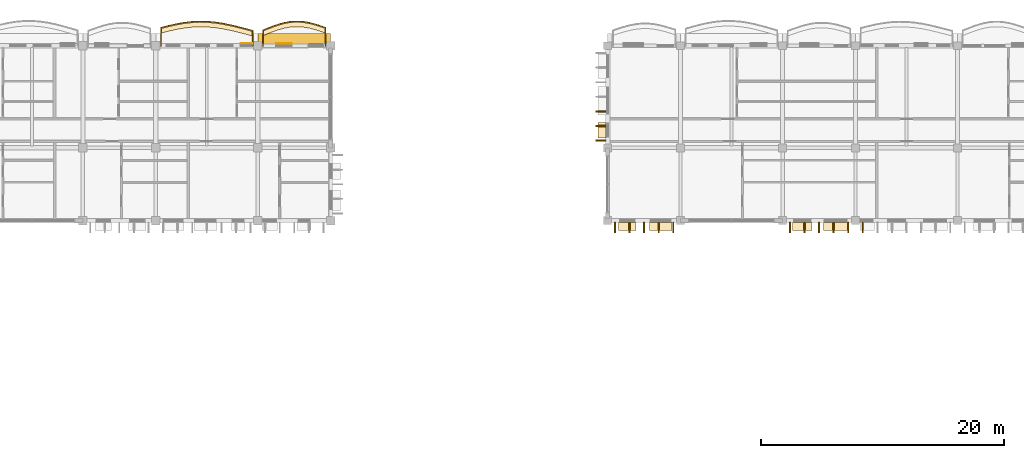
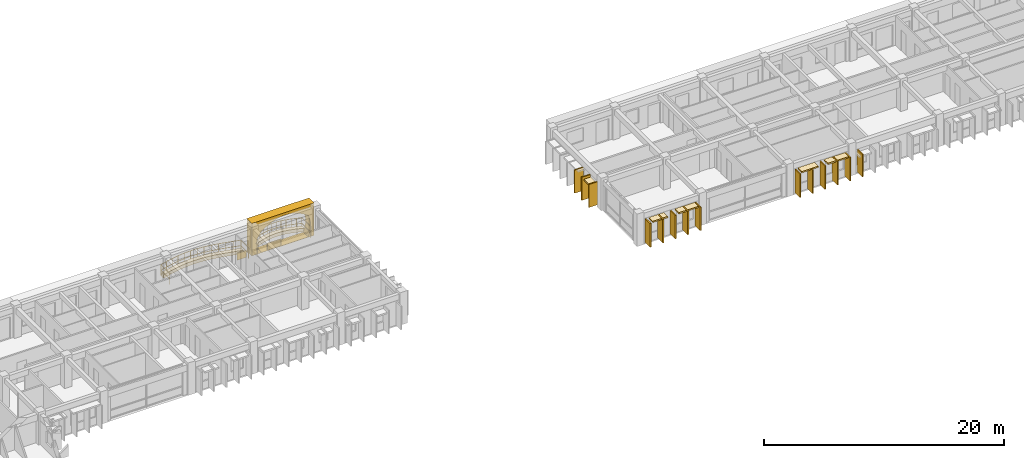
# One storey, part 60 of 76: 24 coverings, 2 railings.
"""IFC4 building model written with IfcOpenShell, lengths in metres."""

import ifcopenshell
import ifcopenshell.guid

model = None  # the IFC model being written
_history = None  # IfcOwnerHistory: only IFC2X3 demands one
_inside = {}  # id of a spatial element -> (the spatial element, [elements in it])
_under = {}  # id of a project, library or spatial element -> (it, [spatial elements below it])
_declared = {}  # id of a project -> (the project, [libraries it declares])
_typed = {}  # id of a type object -> (the type object, [elements of that type])
_made_of = {}  # id of a material, layer set ... -> (it, [elements and type objects made of it])


def new_model(schema):
    """Start an empty IFC model of exactly this schema.

    Asked for "IFC4X3", IfcOpenShell would pick the latest addendum, in which some entities
    have other attributes; the version numbers below select the first issue.
    IFC2X3 requires an IfcOwnerHistory on every rooted entity: one is made here for all.
    """
    global model, _history
    if schema == "IFC4X3":
        model = ifcopenshell.file(schema_version=(4, 3, 0, 0))
    else:
        model = ifcopenshell.file(schema=schema)
    _inside.clear()
    _under.clear()
    _declared.clear()
    _typed.clear()
    _made_of.clear()
    _history = None
    if model.schema == "IFC2X3":
        org = make("IfcOrganization", Name="unknown")
        user = make(
            "IfcPersonAndOrganization",
            ThePerson=make("IfcPerson", FamilyName="unknown"),
            TheOrganization=org,
        )
        app = make(
            "IfcApplication",
            ApplicationDeveloper=org,
            Version="unknown",
            ApplicationFullName="unknown",
            ApplicationIdentifier="unknown",
        )
        _history = make(
            "IfcOwnerHistory",
            OwningUser=user,
            OwningApplication=app,
            ChangeAction="ADDED",
            CreationDate=0,
        )
    return model


def make(cls, **values):
    """One entity of the class cls with the attributes given. An attribute that is None is left unset."""
    return model.create_entity(
        cls, **{name: value for name, value in values.items() if value is not None}
    )


def rooted(cls, **values):
    """An entity with a GlobalId (a new one), such as an element, a storey or a relation."""
    return make(cls, GlobalId=ifcopenshell.guid.new(), OwnerHistory=_history, **values)


def si_unit(unit_type, name, prefix=None):
    """IfcSIUnit, for example si_unit("LENGTHUNIT", "METRE", prefix="MILLI")."""
    return make("IfcSIUnit", UnitType=unit_type, Prefix=prefix, Name=name)


def assignment(units):
    """IfcUnitAssignment: the units of a project."""
    return None if units is None else make("IfcUnitAssignment", Units=units)


def point(xyz):
    """IfcCartesianPoint."""
    return None if xyz is None else make("IfcCartesianPoint", Coordinates=xyz)


def direction(xyz):
    """IfcDirection."""
    return None if xyz is None else make("IfcDirection", DirectionRatios=xyz)


def frame(location, z_axis=None, x_axis=None):
    """IfcAxis2Placement3D, a coordinate frame: its origin and axes. An axis left out is left unset."""
    return make(
        "IfcAxis2Placement3D",
        Location=point(location),
        Axis=direction(z_axis),
        RefDirection=direction(x_axis),
    )


def frame_2d(location, x_axis=None):
    """IfcAxis2Placement2D, a coordinate frame in the plane: its origin and x axis."""
    return make(
        "IfcAxis2Placement2D", Location=point(location), RefDirection=direction(x_axis)
    )


def origin():
    """The frame at (0, 0, 0) with its axes left unset."""
    return frame((0.0, 0.0, 0.0))


def origin_2d():
    """The frame at (0, 0) in the plane with its x axis left unset."""
    return frame_2d((0.0, 0.0))


def place(relative_to, where):
    """IfcLocalPlacement: puts the frame where relative to a parent placement (None: the world)."""
    return make(
        "IfcLocalPlacement", PlacementRelTo=relative_to, RelativePlacement=where
    )


def context(
    kind, dimensions, precision=None, world=None, true_north=None, identifier=None
):
    """IfcGeometricRepresentationContext, for example the 3D "Model" context."""
    return make(
        "IfcGeometricRepresentationContext",
        ContextIdentifier=identifier,
        ContextType=kind,
        CoordinateSpaceDimension=dimensions,
        Precision=precision,
        WorldCoordinateSystem=world,
        TrueNorth=true_north,
    )


def subcontext(parent, identifier, kind, view, scale=None):
    """IfcGeometricRepresentationSubContext, for example "Body" below "Model"."""
    return make(
        "IfcGeometricRepresentationSubContext",
        ContextIdentifier=identifier,
        ContextType=kind,
        ParentContext=parent,
        TargetScale=scale,
        TargetView=view,
    )


def project(units=None, contexts=None):
    """IfcProject with its units and contexts."""
    return rooted(
        "IfcProject",
        Name="project",
        RepresentationContexts=contexts,
        UnitsInContext=assignment(units),
    )


def spatial(cls, under=None, at=None, **own):
    """A site, building, storey or space (cls), placed at a placement, below another one or the project."""
    s = rooted(cls, ObjectPlacement=at, **own)
    if under is not None:
        _under.setdefault(under.id(), (under, []))[1].append(s)
    return s


def polyline(points):
    """IfcPolyline through the points."""
    return make("IfcPolyline", Points=[point(p) for p in points])


def profile(cls, at=None, kind="AREA", **sizes):
    """A parametric profile (cls). Its sizes go by their IFC names, for example OverallWidth=200.0."""
    return make(cls, ProfileType=kind, Position=at, **sizes)


def rectangle(**sizes):
    """IfcRectangleProfileDef."""
    return profile("IfcRectangleProfileDef", **sizes)


def outline(outer, holes=None, kind="AREA"):
    """IfcArbitraryClosedProfileDef: a profile drawn as a closed curve; with holes, ...WithVoids."""
    if holes is None:
        return make("IfcArbitraryClosedProfileDef", ProfileType=kind, OuterCurve=outer)
    return make(
        "IfcArbitraryProfileDefWithVoids",
        ProfileType=kind,
        OuterCurve=outer,
        InnerCurves=holes,
    )


def extrude(swept, where, along, depth):
    """IfcExtrudedAreaSolid: the profile swept, set in the frame where, extruded along a direction by depth."""
    return make(
        "IfcExtrudedAreaSolid",
        SweptArea=swept,
        Position=where,
        ExtrudedDirection=direction(along),
        Depth=depth,
    )


def shape(context_of_items, identifier, shape_type, items):
    """IfcShapeRepresentation: the items that make up one representation, for example the "Body"."""
    return make(
        "IfcShapeRepresentation",
        ContextOfItems=context_of_items,
        RepresentationIdentifier=identifier,
        RepresentationType=shape_type,
        Items=items,
    )


def material(Name=None, Category=None):
    """IfcMaterial."""
    return make("IfcMaterial", Name=Name, Category=Category)


def layer(
    of_material, thickness, ventilated=None, Name=None, Category=None, Priority=None
):
    """IfcMaterialLayer: one layer of a wall or slab, of a material (None: an air gap)."""
    return make(
        "IfcMaterialLayer",
        Material=of_material,
        LayerThickness=thickness,
        IsVentilated=ventilated,
        Name=Name,
        Category=Category,
        Priority=Priority,
    )


def layer_set(layers, Name=None):
    """IfcMaterialLayerSet."""
    return make("IfcMaterialLayerSet", MaterialLayers=layers, LayerSetName=Name)


def made_of(thing, what):
    """Note that an element or type object is made of a material, layer set ...; save() writes the relation."""
    if what is not None:
        _made_of.setdefault(what.id(), (what, []))[1].append(thing)
    return thing


def type_object(cls, material=None, **own):
    """A type object (cls), such as IfcWallType, which elements share."""
    return made_of(rooted(cls, **own), material)


def element(
    cls,
    number,
    at=None,
    inside=None,
    cuts=None,
    type_object=None,
    material=None,
    context=None,
    identifier="Body",
    shape_type=None,
    held_by="IfcProductDefinitionShape",
    body=None,
    shapes=None,
    **own,
):
    """One element of the class cls, such as IfcWall. Its Tag is "e" and its number.

    at: its placement. inside: the storey or other place that contains it. cuts: it is an
    opening in that element (IfcRelVoidsElement). A single representation is given by context,
    identifier, shape_type and body (its items); several are given by shapes. held_by: the class
    of the entity that holds the representations. save() writes the other relations.
    """
    e = rooted(cls, Tag="e%d" % number, ObjectPlacement=at, **own)
    if body is not None:
        shapes = [shape(context, identifier, shape_type, body)]
    if shapes is not None:
        e.Representation = make(held_by, Representations=shapes)
    if inside is not None:
        _inside.setdefault(inside.id(), (inside, []))[1].append(e)
    if cuts is not None:
        rooted(
            "IfcRelVoidsElement", RelatingBuildingElement=cuts, RelatedOpeningElement=e
        )
    if type_object is not None:
        _typed.setdefault(type_object.id(), (type_object, []))[1].append(e)
    return made_of(e, material)


def aggregate(whole, parts):
    """IfcRelAggregates: a whole, such as a stair, and the parts it consists of."""
    return rooted("IfcRelAggregates", RelatingObject=whole, RelatedObjects=parts)


def save(model, path):
    """Write the relations noted so far, then the file.

    IfcRelAggregates (storeys below a building ...), IfcRelContainedInSpatialStructure (elements
    in a storey), IfcRelDefinesByType, IfcRelAssociatesMaterial and IfcRelDeclares: one each for
    every whole, place, type object, material and project.
    """
    for whole, parts in _under.values():
        aggregate(whole, parts)
    for where, things in _inside.values():
        rooted(
            "IfcRelContainedInSpatialStructure",
            RelatedElements=things,
            RelatingStructure=where,
        )
    for kind, things in _typed.values():
        rooted("IfcRelDefinesByType", RelatedObjects=things, RelatingType=kind)
    for what, things in _made_of.values():
        rooted("IfcRelAssociatesMaterial", RelatedObjects=things, RelatingMaterial=what)
    for by, libraries in _declared.values():
        rooted("IfcRelDeclares", RelatingContext=by, RelatedDefinitions=libraries)
    model.write(path)


model = new_model("IFC4")

# Units and contexts
model_context = context("Model", 3, precision=1e-05, world=origin(), true_north=direction((0.0, 1.0)))
body_context = subcontext(model_context, "Body", "Model", "MODEL_VIEW")
ifc_project = project(units=[si_unit("LENGTHUNIT", "METRE"), si_unit("AREAUNIT", "SQUARE_METRE"), si_unit("VOLUMEUNIT", "CUBIC_METRE"), si_unit("PLANEANGLEUNIT", "RADIAN"), si_unit("MASSUNIT", "GRAM", prefix="KILO"), si_unit("THERMODYNAMICTEMPERATUREUNIT", "KELVIN")], contexts=[model_context])

# Site, building, storey
site_placement = place(None, origin())
site = spatial("IfcSite", under=ifc_project, at=site_placement, CompositionType="ELEMENT")
building_placement = place(site_placement, origin())
building = spatial("IfcBuilding", under=site, at=building_placement, Name="Thalorik Housing Commons", CompositionType="ELEMENT")
storey_placement = place(building_placement, frame((0.0, 0.0, 18.0)))
storey = spatial("IfcBuildingStorey", under=building, at=storey_placement, Name="L05", CompositionType="ELEMENT", Elevation=18.0)

# Coverings
ifc_material_1 = material(Name="Cobalt blue glazed ceramic facade tile panel", Category="masonry")
ifc_layer_1 = layer(ifc_material_1, 0.06005859375, Name="Cobalt blue glazed ceramic facade tile panel", Category="masonry")
ifc_layer_set_1 = layer_set([ifc_layer_1], Name="Cobalt blue glazed ceramic facade tile panel")
covering_type_1 = type_object("IfcCoveringType", Name="ARC-CLD-BLU-60", PredefinedType="CLADDING", material=ifc_layer_set_1)
covering_1_placement = place(storey_placement, frame((53.760009765625, 123.78759765625, 0.0498046875), z_axis=(0.0, 0.0, 1.0), x_axis=(-1.0, 0.0, 0.0)))
element("IfcCovering", 1, at=covering_1_placement, inside=storey, type_object=covering_type_1, Name="L05 De Stijl Recessed Window Spandrel 552", PredefinedType="CLADDING", context=body_context, shape_type="SweptSolid", body=[
    extrude(rectangle(XDim=1.300048828125, YDim=0.06005859375, at=origin_2d()), origin(), (0.0, 0.0, 1.0), 0.699951171875),
])
ifc_material_2 = material(Name="Precast concrete C40/50", Category="concrete")
ifc_layer_2 = layer(ifc_material_2, 0.85009765625, Name="Precast concrete C40/50", Category="concrete")
ifc_layer_set_2 = layer_set([ifc_layer_2], Name="Precast concrete C40/50")
covering_type_2 = type_object("IfcCoveringType", Name="ARC-CLD-CUSH-850", PredefinedType="CLADDING", material=ifc_layer_set_2)
covering_2_placement = place(storey_placement, frame((54.60009765625, 124.177490234375, 0.0), z_axis=(0.0, 0.0, 1.0), x_axis=(-1.0, 0.0, 0.0)))
element("IfcCovering", 2, at=covering_2_placement, inside=storey, type_object=covering_type_2, Name="L05 White Precast Curved Cushion Bay Frame 551", PredefinedType="CLADDING", context=body_context, shape_type="SweptSolid", body=[
    extrude(outline(polyline([(-3.0, 0.0), (3.0, 0.0), (3.0, 3.300048828125), (-3.0, 3.300048828125), (-3.0, 0.0)]), holes=[polyline([(2.0400390625, 0.02490234375), (2.3232421875, 0.390869140625), (2.493408203125, 0.756591796875), (2.550048828125, 1.12255859375), (2.493408203125, 1.48828125), (2.3232421875, 1.854248046875), (2.0400390625, 2.219970703125), (1.66748046875, 2.469482421875), (1.294921875, 2.66552734375), (0.922607421875, 2.824462890625), (0.550048828125, 2.9423828125), (0.177490234375, 3.015380859375), (-0.195068359375, 3.0400390625), (-0.5673828125, 3.015380859375), (-0.93994140625, 2.9423828125), (-1.3125, 2.824462890625), (-1.68505859375, 2.66552734375), (-2.0576171875, 2.469482421875), (-2.429931640625, 2.219970703125), (-2.55029296875, 1.854248046875), (-2.62255859375, 1.48828125), (-2.646484375, 1.12255859375), (-2.62255859375, 0.756591796875), (-2.55029296875, 0.390869140625), (-2.429931640625, 0.02490234375), (2.0400390625, 0.02490234375)])]), frame((0.0, 0.425048828125, 0.0), z_axis=(0.0, -1.0, 0.0), x_axis=(1.0, 0.0, 0.0)), (0.0, 0.0, 1.0), 0.85009765625),
])
ifc_layer_3 = layer(ifc_material_2, 0.85009765625, Name="Precast concrete C40/50", Category="concrete")
ifc_layer_set_3 = layer_set([ifc_layer_3], Name="Precast concrete C40/50")
covering_type_3 = type_object("IfcCoveringType", Name="ARC-CLD-FIN-850", PredefinedType="CLADDING", material=ifc_layer_set_3)
for number, where, z_axis, x_axis, name in (
    (3, (79.830078125, 118.199951171875, 0.0400390625), (0.0, 0.0, 1.0), (0.0, -1.0, 0.0), "L05 Courtyard Precast Vertical Brise-Soleil Fin 2232"),
    (4, (79.830078125, 117.0, 0.0400390625), (0.0, 0.0, 1.0), (0.0, -1.0, 0.0), "L05 Courtyard Precast Vertical Brise-Soleil Fin 2233"),
    (5, (79.830078125, 115.800048828125, 0.0400390625), (0.0, 0.0, 1.0), (0.0, -1.0, 0.0), "L05 Courtyard Precast Vertical Brise-Soleil Fin 2234"),
):
    element("IfcCovering", number, at=place(storey_placement, frame(where, z_axis=z_axis, x_axis=x_axis)), inside=storey, type_object=covering_type_3, Name=name, PredefinedType="CLADDING", context=body_context, shape_type="SweptSolid", body=[
        extrude(rectangle(XDim=0.110107421875, YDim=0.85009765625, at=origin_2d()), origin(), (0.0, 0.0, 1.0), 2.344970703125),
    ])
for number, where, z_axis, x_axis, name in (
    (6, (81.0, 108.6298828125, 0.0400390625), (0.0, 0.0, 1.0), (1.0, 0.0, 0.0), "L05 Courtyard Precast Vertical Brise-Soleil Fin 2238"),
    (7, (82.199951171875, 108.6298828125, 0.0400390625), (0.0, 0.0, 1.0), (1.0, 0.0, 0.0), "L05 Courtyard Precast Vertical Brise-Soleil Fin 2239"),
    (8, (83.39990234375, 108.6298828125, 0.0400390625), (0.0, 0.0, 1.0), (1.0, 0.0, 0.0), "L05 Courtyard Precast Vertical Brise-Soleil Fin 2240"),
    (9, (84.60009765625, 108.6298828125, 0.0400390625), (0.0, 0.0, 1.0), (1.0, 0.0, 0.0), "L05 Courtyard Precast Vertical Brise-Soleil Fin 2241"),
    (10, (85.800048828125, 108.6298828125, 0.0400390625), (0.0, 0.0, 1.0), (1.0, 0.0, 0.0), "L05 Courtyard Precast Vertical Brise-Soleil Fin 2242"),
    (11, (95.39990234375, 108.6298828125, 0.0400390625), (0.0, 0.0, 1.0), (1.0, 0.0, 0.0), "L05 Courtyard Precast Vertical Brise-Soleil Fin 2245"),
    (12, (96.60009765625, 108.6298828125, 0.0400390625), (0.0, 0.0, 1.0), (1.0, 0.0, 0.0), "L05 Courtyard Precast Vertical Brise-Soleil Fin 2246"),
    (13, (97.800048828125, 108.6298828125, 0.0400390625), (0.0, 0.0, 1.0), (1.0, 0.0, 0.0), "L05 Courtyard Precast Vertical Brise-Soleil Fin 2247"),
    (14, (99.0, 108.6298828125, 0.0400390625), (0.0, 0.0, 1.0), (1.0, 0.0, 0.0), "L05 Courtyard Precast Vertical Brise-Soleil Fin 2248"),
    (15, (100.199951171875, 108.6298828125, 0.0400390625), (0.0, 0.0, 1.0), (1.0, 0.0, 0.0), "L05 Courtyard Precast Vertical Brise-Soleil Fin 2249"),
):
    element("IfcCovering", number, at=place(storey_placement, frame(where, z_axis=z_axis, x_axis=x_axis)), inside=storey, type_object=covering_type_3, Name=name, PredefinedType="CLADDING", context=body_context, shape_type="SweptSolid", body=[
        extrude(rectangle(XDim=0.110107421875, YDim=0.85009765625, at=origin_2d()), origin(), (0.0, 0.0, 1.0), 2.39501953125),
    ])
covering_3_placement = place(storey_placement, frame((101.39990234375, 108.6298828125, 0.0400390625), z_axis=(0.0, 0.0, 1.0), x_axis=(1.0, 0.0, 0.0)))
element("IfcCovering", 16, at=covering_3_placement, inside=storey, type_object=covering_type_3, Name="L05 Courtyard Precast Vertical Brise-Soleil Fin 2252", PredefinedType="CLADDING", context=body_context, shape_type="SweptSolid", body=[
    extrude(rectangle(XDim=0.110107421875, YDim=0.85009765625, at=origin_2d()), origin(), (0.0, 0.0, 1.0), 2.294921875),
])
ifc_layer_4 = layer(ifc_material_2, 0.64990234375, Name="Precast concrete C40/50", Category="concrete")
ifc_layer_set_4 = layer_set([ifc_layer_4], Name="Precast concrete C40/50")
covering_type_4 = type_object("IfcCoveringType", Name="ARC-CLD-HOOD-650", PredefinedType="CLADDING", material=ifc_layer_set_4)
covering_4_placement = place(storey_placement, frame((79.929931640625, 116.64990234375, 1.990234375), z_axis=(0.0, 0.0, 1.0), x_axis=(0.0, -1.0, 0.0)))
element("IfcCovering", 17, at=covering_4_placement, inside=storey, type_object=covering_type_4, Name="L05 Courtyard Precast Window Sun-Hood 2237", PredefinedType="CLADDING", context=body_context, shape_type="SweptSolid", body=[
    extrude(rectangle(XDim=1.2900390625, YDim=0.64990234375, at=origin_2d()), origin(), (0.0, 0.0, 1.0), 0.139892578125),
])
covering_5_placement = place(storey_placement, frame((82.030029296875, 108.72998046875, 2.2900390625), z_axis=(0.0, 0.0, 1.0), x_axis=(1.0, 0.0, 0.0)))
element("IfcCovering", 18, at=covering_5_placement, inside=storey, type_object=covering_type_4, Name="L05 Courtyard Precast Window Sun-Hood 2243", PredefinedType="CLADDING", context=body_context, shape_type="SweptSolid", body=[
    extrude(rectangle(XDim=1.43994140625, YDim=0.64990234375, at=origin_2d()), origin(), (0.0, 0.0, 1.0), 0.139892578125),
])
covering_6_placement = place(storey_placement, frame((84.77001953125, 108.72998046875, 2.2900390625), z_axis=(0.0, 0.0, 1.0), x_axis=(1.0, 0.0, 0.0)))
element("IfcCovering", 19, at=covering_6_placement, inside=storey, type_object=covering_type_4, Name="L05 Courtyard Precast Window Sun-Hood 2244", PredefinedType="CLADDING", context=body_context, shape_type="SweptSolid", body=[
    extrude(rectangle(XDim=1.889892578125, YDim=0.64990234375, at=origin_2d()), origin(), (0.0, 0.0, 1.0), 0.139892578125),
])
covering_7_placement = place(storey_placement, frame((96.429931640625, 108.72998046875, 2.3251953125), z_axis=(0.0, 0.0, 1.0), x_axis=(1.0, 0.0, 0.0)))
element("IfcCovering", 20, at=covering_7_placement, inside=storey, type_object=covering_type_4, Name="L05 Courtyard Precast Window Sun-Hood 2250", PredefinedType="CLADDING", context=body_context, shape_type="SweptSolid", body=[
    extrude(rectangle(XDim=1.590087890625, YDim=0.64990234375, at=origin_2d()), origin(), (0.0, 0.0, 1.0), 0.139892578125),
])
covering_8_placement = place(storey_placement, frame((99.169921875, 108.72998046875, 2.2900390625), z_axis=(0.0, 0.0, 1.0), x_axis=(1.0, 0.0, 0.0)))
element("IfcCovering", 21, at=covering_8_placement, inside=storey, type_object=covering_type_4, Name="L05 Courtyard Precast Window Sun-Hood 2251", PredefinedType="CLADDING", context=body_context, shape_type="SweptSolid", body=[
    extrude(rectangle(XDim=2.0400390625, YDim=0.64990234375, at=origin_2d()), origin(), (0.0, 0.0, 1.0), 0.139892578125),
])
ifc_material_3 = material(Name="Mineral ochre architectural terracotta panel", Category="masonry")
ifc_layer_5 = layer(ifc_material_3, 0.06494140625, Name="Mineral ochre architectural terracotta panel", Category="masonry")
ifc_layer_set_5 = layer_set([ifc_layer_5], Name="Mineral ochre architectural terracotta panel")
covering_type_5 = type_object("IfcCoveringType", Name="ARC-CLD-YEL-65", PredefinedType="CLADDING", material=ifc_layer_set_5)
covering_9_placement = place(storey_placement, frame((50.643310546875, 123.7900390625, 0.0498046875), z_axis=(0.0, 0.0, 1.0), x_axis=(-1.0, 0.0, 0.0)))
element("IfcCovering", 22, at=covering_9_placement, inside=storey, type_object=covering_type_5, Name="L05 De Stijl Recessed Window Spandrel 554", PredefinedType="CLADDING", context=body_context, shape_type="SweptSolid", body=[
    extrude(rectangle(XDim=0.89990234375, YDim=0.06494140625, at=origin_2d()), origin(), (0.0, 0.0, 1.0), 0.699951171875),
])
ifc_material_4 = material(Name="Planted vegetated substrate and terracotta trough", Category="masonry")
ifc_layer_6 = layer(ifc_material_4, 0.340087890625, Name="Planted vegetated substrate and terracotta trough", Category="masonry")
ifc_layer_set_6 = layer_set([ifc_layer_6], Name="Planted vegetated substrate and terracotta trough")
covering_type_6 = type_object("IfcCoveringType", Name="ARC-COV-PLANTER", PredefinedType="USERDEFINED", material=ifc_layer_set_6)
covering_10_placement = place(storey_placement, origin())
element("IfcCovering", 23, at=covering_10_placement, inside=storey, type_object=covering_type_6, Name="L05 Balcony Slab-Edge Planted Trough 5350", ObjectType="PLANTER", PredefinedType="USERDEFINED", context=body_context, shape_type="SweptSolid", body=[
    extrude(outline(polyline([(51.179931640625, 124.7802734375), (50.550048828125, 124.944580078125), (49.919921875, 125.10693359375), (49.2900390625, 125.255615234375), (48.659912109375, 125.380615234375), (48.030029296875, 125.47314453125), (47.39990234375, 125.526611328125), (46.77001953125, 125.537109375), (46.139892578125, 125.50390625), (45.510009765625, 125.428955078125), (44.8798828125, 125.317138671875), (44.25, 125.176025390625), (43.6201171875, 125.015380859375), (43.6201171875, 124.635498046875), (44.25, 124.796142578125), (44.8798828125, 124.937255859375), (45.510009765625, 125.048828125), (46.139892578125, 125.123779296875), (46.77001953125, 125.156982421875), (47.39990234375, 125.146484375), (48.030029296875, 125.093017578125), (48.659912109375, 125.00048828125), (49.2900390625, 124.875732421875), (49.919921875, 124.726806640625), (50.550048828125, 124.564697265625), (51.179931640625, 124.400146484375), (51.179931640625, 124.7802734375)])), origin(), (0.0, 0.0, 1.0), 0.340087890625),
])
covering_11_placement = place(storey_placement, origin())
element("IfcCovering", 24, at=covering_11_placement, inside=storey, type_object=covering_type_6, Name="L05 Balcony Slab-Edge Planted Trough 5351", ObjectType="PLANTER", PredefinedType="USERDEFINED", context=body_context, shape_type="SweptSolid", body=[
    extrude(outline(polyline([(57.179931640625, 125.01611328125), (56.75, 125.168212890625), (56.320068359375, 125.305908203125), (55.889892578125, 125.419189453125), (55.4599609375, 125.499755859375), (55.030029296875, 125.541748046875), (54.60009765625, 125.541748046875), (54.169921875, 125.4990234375), (53.739990234375, 125.41552734375), (53.31005859375, 125.29638671875), (52.8798828125, 125.149169921875), (52.449951171875, 124.98291015625), (52.02001953125, 124.80859375), (52.02001953125, 124.428466796875), (52.449951171875, 124.602783203125), (52.8798828125, 124.76904296875), (53.31005859375, 124.91650390625), (53.739990234375, 125.035400390625), (54.169921875, 125.118896484375), (54.60009765625, 125.161865234375), (55.030029296875, 125.161865234375), (55.4599609375, 125.119873046875), (55.889892578125, 125.0390625), (56.320068359375, 124.92578125), (56.75, 124.788330078125), (57.179931640625, 124.635986328125), (57.179931640625, 125.01611328125)])), origin(), (0.0, 0.0, 1.0), 0.340087890625),
])

# Railings
ifc_material_5 = material(Name="Steel S355", Category="steel")
railing_type_1 = type_object("IfcRailingType", Name="ARC-RL-BAL-112", PredefinedType="BALUSTRADE", material=ifc_material_5)
railing_1_placement = place(storey_placement, frame((51.179931640625, 123.60009765625, 0.0)))
element("IfcRailing", 25, at=railing_1_placement, inside=storey, type_object=railing_type_1, Name="L05 Cushion Balcony Guardrail 34", PredefinedType="BALUSTRADE", context=body_context, shape_type="SweptSolid", body=[
    extrude(rectangle(XDim=0.050048828125, YDim=0.050048828125, at=origin_2d()), frame((0.0, 0.0, 1.09521484375), z_axis=(0.0, 1.0, 0.0), x_axis=(-1.0, 0.0, 0.0)), (0.0, 0.0, 1.0), 1.25),
    extrude(rectangle(XDim=0.050048828125, YDim=0.050048828125, at=origin_2d()), frame((0.0, 0.0, 0.53515625), z_axis=(0.0, 1.0, 0.0), x_axis=(-1.0, 0.0, 0.0)), (0.0, 0.0, 1.0), 1.25),
    extrude(rectangle(XDim=0.050048828125, YDim=0.050048828125, at=origin_2d()), frame((0.0, 1.25, 1.09521484375), z_axis=(-0.967529600812, 0.252757732925, 0.0), x_axis=(-0.252757732925, -0.967529600812, 0.0)), (0.0, 0.0, 1.0), 0.651123046875),
    extrude(rectangle(XDim=0.050048828125, YDim=0.050048828125, at=origin_2d()), frame((0.0, 1.25, 0.53515625), z_axis=(-0.967529600812, 0.252757732925, 0.0), x_axis=(-0.252757732925, -0.967529600812, 0.0)), (0.0, 0.0, 1.0), 0.651123046875),
    extrude(rectangle(XDim=0.050048828125, YDim=0.050048828125, at=origin_2d()), frame((-0.6298828125, 1.41455078125, 1.09521484375), z_axis=(-0.968373886452, 0.249503539128, 0.0), x_axis=(-0.249503539128, -0.968373886452, 0.0)), (0.0, 0.0, 1.0), 0.650634765625),
    extrude(rectangle(XDim=0.050048828125, YDim=0.050048828125, at=origin_2d()), frame((-0.6298828125, 1.41455078125, 0.53515625), z_axis=(-0.968373886452, 0.249503539128, 0.0), x_axis=(-0.249503539128, -0.968373886452, 0.0)), (0.0, 0.0, 1.0), 0.650634765625),
    extrude(rectangle(XDim=0.050048828125, YDim=0.050048828125, at=origin_2d()), frame((-1.260009765625, 1.576904296875, 1.09521484375), z_axis=(-0.973253660801, 0.229733131561, 0.0), x_axis=(-0.229733131561, -0.973253660801, 0.0)), (0.0, 0.0, 1.0), 0.647216796875),
    extrude(rectangle(XDim=0.050048828125, YDim=0.050048828125, at=origin_2d()), frame((-1.260009765625, 1.576904296875, 0.53515625), z_axis=(-0.973253660801, 0.229733131561, 0.0), x_axis=(-0.229733131561, -0.973253660801, 0.0)), (0.0, 0.0, 1.0), 0.647216796875),
    extrude(rectangle(XDim=0.050048828125, YDim=0.050048828125, at=origin_2d()), frame((-1.889892578125, 1.7255859375, 1.09521484375), z_axis=(-0.980886430971, 0.194581113002, 0.0), x_axis=(-0.194581113002, -0.980886430971, 0.0)), (0.0, 0.0, 1.0), 0.642333984375),
    extrude(rectangle(XDim=0.050048828125, YDim=0.050048828125, at=origin_2d()), frame((-1.889892578125, 1.7255859375, 0.53515625), z_axis=(-0.980886430971, 0.194581113002, 0.0), x_axis=(-0.194581113002, -0.980886430971, 0.0)), (0.0, 0.0, 1.0), 0.642333984375),
    extrude(rectangle(XDim=0.050048828125, YDim=0.050048828125, at=origin_2d()), frame((-2.52001953125, 1.8505859375, 1.09521484375), z_axis=(-0.989381852922, 0.145339427232, 0.0), x_axis=(-0.145339427232, -0.989381852922, 0.0)), (0.0, 0.0, 1.0), 0.63671875),
    extrude(rectangle(XDim=0.050048828125, YDim=0.050048828125, at=origin_2d()), frame((-2.52001953125, 1.8505859375, 0.53515625), z_axis=(-0.989381852922, 0.145339427232, 0.0), x_axis=(-0.145339427232, -0.989381852922, 0.0)), (0.0, 0.0, 1.0), 0.63671875),
    extrude(rectangle(XDim=0.050048828125, YDim=0.050048828125, at=origin_2d()), frame((-3.14990234375, 1.943115234375, 1.09521484375), z_axis=(-0.996451941002, 0.084163705207, 0.0), x_axis=(-0.084163705207, -0.996451941002, 0.0)), (0.0, 0.0, 1.0), 0.63232421875),
    extrude(rectangle(XDim=0.050048828125, YDim=0.050048828125, at=origin_2d()), frame((-3.14990234375, 1.943115234375, 0.53515625), z_axis=(-0.996451941002, 0.084163705207, 0.0), x_axis=(-0.084163705207, -0.996451941002, 0.0)), (0.0, 0.0, 1.0), 0.63232421875),
    extrude(rectangle(XDim=0.050048828125, YDim=0.050048828125, at=origin_2d()), frame((-3.780029296875, 1.996337890625, 1.09521484375), z_axis=(-0.999854607762, 0.017051784008, 0.0), x_axis=(-0.017051784008, -0.999854607762, 0.0)), (0.0, 0.0, 1.0), 0.6298828125),
    extrude(rectangle(XDim=0.050048828125, YDim=0.050048828125, at=origin_2d()), frame((-3.780029296875, 1.996337890625, 0.53515625), z_axis=(-0.999854607762, 0.017051784008, 0.0), x_axis=(-0.017051784008, -0.999854607762, 0.0)), (0.0, 0.0, 1.0), 0.6298828125),
    extrude(rectangle(XDim=0.050048828125, YDim=0.050048828125, at=origin_2d()), frame((-4.409912109375, 2.007080078125, 1.09521484375), z_axis=(-0.998614621038, -0.052619755312, 0.0), x_axis=(0.052619755312, -0.998614621038, 0.0)), (0.0, 0.0, 1.0), 0.631103515625),
    extrude(rectangle(XDim=0.050048828125, YDim=0.050048828125, at=origin_2d()), frame((-4.409912109375, 2.007080078125, 0.53515625), z_axis=(-0.998614621038, -0.052619755312, 0.0), x_axis=(0.052619755312, -0.998614621038, 0.0)), (0.0, 0.0, 1.0), 0.631103515625),
    extrude(rectangle(XDim=0.050048828125, YDim=0.050048828125, at=origin_2d()), frame((-5.0400390625, 1.973876953125, 1.09521484375), z_axis=(-0.992949497864, -0.118538157109, 0.0), x_axis=(0.118538157109, -0.992949497864, 0.0)), (0.0, 0.0, 1.0), 0.63427734375),
    extrude(rectangle(XDim=0.050048828125, YDim=0.050048828125, at=origin_2d()), frame((-5.0400390625, 1.973876953125, 0.53515625), z_axis=(-0.992949497864, -0.118538157109, 0.0), x_axis=(0.118538157109, -0.992949497864, 0.0)), (0.0, 0.0, 1.0), 0.63427734375),
    extrude(rectangle(XDim=0.050048828125, YDim=0.050048828125, at=origin_2d()), frame((-5.669921875, 1.898681640625, 1.09521484375), z_axis=(-0.984683537287, -0.174351172623, 0.0), x_axis=(0.174351172623, -0.984683537287, 0.0)), (0.0, 0.0, 1.0), 0.639892578125),
    extrude(rectangle(XDim=0.050048828125, YDim=0.050048828125, at=origin_2d()), frame((-5.669921875, 1.898681640625, 0.53515625), z_axis=(-0.984683537287, -0.174351172623, 0.0), x_axis=(0.174351172623, -0.984683537287, 0.0)), (0.0, 0.0, 1.0), 0.639892578125),
    extrude(rectangle(XDim=0.050048828125, YDim=0.050048828125, at=origin_2d()), frame((-6.300048828125, 1.787109375, 1.09521484375), z_axis=(-0.975811839183, -0.218612109708, 0.0), x_axis=(0.218612109708, -0.975811839183, 0.0)), (0.0, 0.0, 1.0), 0.6455078125),
    extrude(rectangle(XDim=0.050048828125, YDim=0.050048828125, at=origin_2d()), frame((-6.300048828125, 1.787109375, 0.53515625), z_axis=(-0.975811839183, -0.218612109708, 0.0), x_axis=(0.218612109708, -0.975811839183, 0.0)), (0.0, 0.0, 1.0), 0.6455078125),
    extrude(rectangle(XDim=0.050048828125, YDim=0.050048828125, at=origin_2d()), frame((-6.929931640625, 1.64599609375, 1.09521484375), z_axis=(-0.968982800082, -0.247128171494, 0.0), x_axis=(0.247128171494, -0.968982800082, 0.0)), (0.0, 0.0, 1.0), 0.650146484375),
    extrude(rectangle(XDim=0.050048828125, YDim=0.050048828125, at=origin_2d()), frame((-6.929931640625, 1.64599609375, 0.53515625), z_axis=(-0.968982800082, -0.247128171494, 0.0), x_axis=(0.247128171494, -0.968982800082, 0.0)), (0.0, 0.0, 1.0), 0.650146484375),
    extrude(rectangle(XDim=0.050048828125, YDim=0.050048828125, at=origin_2d()), frame((-7.559814453125, 1.4853515625, 1.09521484375), z_axis=(0.0, -1.0, 0.0), x_axis=(1.0, 0.0, 0.0)), (0.0, 0.0, 1.0), 1.4853515625),
    extrude(rectangle(XDim=0.050048828125, YDim=0.050048828125, at=origin_2d()), frame((-7.559814453125, 1.4853515625, 0.53515625), z_axis=(0.0, -1.0, 0.0), x_axis=(1.0, 0.0, 0.0)), (0.0, 0.0, 1.0), 1.4853515625),
    extrude(rectangle(XDim=0.0419921875, YDim=0.0419921875, at=origin_2d()), origin(), (0.0, 0.0, 1.0), 1.070068359375),
    extrude(rectangle(XDim=0.0419921875, YDim=0.0419921875, at=origin_2d()), frame((0.0, 1.25, 0.0)), (0.0, 0.0, 1.0), 1.070068359375),
    extrude(rectangle(XDim=0.0419921875, YDim=0.0419921875, at=origin_2d()), frame((-0.6298828125, 1.41455078125, 0.0)), (0.0, 0.0, 1.0), 1.070068359375),
    extrude(rectangle(XDim=0.0419921875, YDim=0.0419921875, at=origin_2d()), frame((-1.260009765625, 1.576904296875, 0.0)), (0.0, 0.0, 1.0), 1.070068359375),
    extrude(rectangle(XDim=0.0419921875, YDim=0.0419921875, at=origin_2d()), frame((-1.889892578125, 1.7255859375, 0.0)), (0.0, 0.0, 1.0), 1.070068359375),
    extrude(rectangle(XDim=0.0419921875, YDim=0.0419921875, at=origin_2d()), frame((-2.52001953125, 1.8505859375, 0.0)), (0.0, 0.0, 1.0), 1.070068359375),
    extrude(rectangle(XDim=0.0419921875, YDim=0.0419921875, at=origin_2d()), frame((-3.14990234375, 1.943115234375, 0.0)), (0.0, 0.0, 1.0), 1.070068359375),
    extrude(rectangle(XDim=0.0419921875, YDim=0.0419921875, at=origin_2d()), frame((-3.780029296875, 1.996337890625, 0.0)), (0.0, 0.0, 1.0), 1.070068359375),
    extrude(rectangle(XDim=0.0419921875, YDim=0.0419921875, at=origin_2d()), frame((-4.409912109375, 2.007080078125, 0.0)), (0.0, 0.0, 1.0), 1.070068359375),
    extrude(rectangle(XDim=0.0419921875, YDim=0.0419921875, at=origin_2d()), frame((-5.0400390625, 1.973876953125, 0.0)), (0.0, 0.0, 1.0), 1.070068359375),
    extrude(rectangle(XDim=0.0419921875, YDim=0.0419921875, at=origin_2d()), frame((-5.669921875, 1.898681640625, 0.0)), (0.0, 0.0, 1.0), 1.070068359375),
    extrude(rectangle(XDim=0.0419921875, YDim=0.0419921875, at=origin_2d()), frame((-6.300048828125, 1.787109375, 0.0)), (0.0, 0.0, 1.0), 1.070068359375),
    extrude(rectangle(XDim=0.0419921875, YDim=0.0419921875, at=origin_2d()), frame((-6.929931640625, 1.64599609375, 0.0)), (0.0, 0.0, 1.0), 1.070068359375),
    extrude(rectangle(XDim=0.0419921875, YDim=0.0419921875, at=origin_2d()), frame((-7.559814453125, 1.4853515625, 0.0)), (0.0, 0.0, 1.0), 1.070068359375),
    extrude(rectangle(XDim=0.0419921875, YDim=0.0419921875, at=origin_2d()), frame((-7.559814453125, 0.0, 0.0)), (0.0, 0.0, 1.0), 1.070068359375),
])
railing_type_2 = type_object("IfcRailingType", Name="ARC-RL-BAL-115", PredefinedType="BALUSTRADE", material=ifc_material_5)
railing_2_placement = place(storey_placement, frame((57.179931640625, 123.60009765625, 0.0)))
element("IfcRailing", 26, at=railing_2_placement, inside=storey, type_object=railing_type_2, Name="L05 Cushion Balcony Guardrail 35", PredefinedType="BALUSTRADE", context=body_context, shape_type="SweptSolid", body=[
    extrude(rectangle(XDim=0.050048828125, YDim=0.050048828125, at=origin_2d()), frame((0.0, 0.0, 1.125), z_axis=(0.0, 1.0, 0.0), x_axis=(-1.0, 0.0, 0.0)), (0.0, 0.0, 1.0), 1.48583984375),
    extrude(rectangle(XDim=0.050048828125, YDim=0.050048828125, at=origin_2d()), frame((0.0, 0.0, 0.5498046875), z_axis=(0.0, 1.0, 0.0), x_axis=(-1.0, 0.0, 0.0)), (0.0, 0.0, 1.0), 1.48583984375),
    extrude(rectangle(XDim=0.050048828125, YDim=0.050048828125, at=origin_2d()), frame((0.0, 1.48583984375, 1.125), z_axis=(-0.942574576093, 0.333995761205, 0.0), x_axis=(-0.333995761205, -0.942574576093, 0.0)), (0.0, 0.0, 1.0), 0.4560546875),
    extrude(rectangle(XDim=0.050048828125, YDim=0.050048828125, at=origin_2d()), frame((0.0, 1.48583984375, 0.5498046875), z_axis=(-0.942574576093, 0.333995761205, 0.0), x_axis=(-0.333995761205, -0.942574576093, 0.0)), (0.0, 0.0, 1.0), 0.4560546875),
    extrude(rectangle(XDim=0.050048828125, YDim=0.050048828125, at=origin_2d()), frame((-0.429931640625, 1.63818359375, 1.125), z_axis=(-0.95234876715, 0.305011189479, 0.0), x_axis=(-0.305011189479, -0.95234876715, 0.0)), (0.0, 0.0, 1.0), 0.451416015625),
    extrude(rectangle(XDim=0.050048828125, YDim=0.050048828125, at=origin_2d()), frame((-0.429931640625, 1.63818359375, 0.5498046875), z_axis=(-0.95234876715, 0.305011189479, 0.0), x_axis=(-0.305011189479, -0.95234876715, 0.0)), (0.0, 0.0, 1.0), 0.451416015625),
    extrude(rectangle(XDim=0.050048828125, YDim=0.050048828125, at=origin_2d()), frame((-0.85986328125, 1.77587890625, 1.125), z_axis=(-0.967166905312, 0.254142041521, 0.0), x_axis=(-0.254142041521, -0.967166905312, 0.0)), (0.0, 0.0, 1.0), 0.44482421875),
    extrude(rectangle(XDim=0.050048828125, YDim=0.050048828125, at=origin_2d()), frame((-0.85986328125, 1.77587890625, 0.5498046875), z_axis=(-0.967166905312, 0.254142041521, 0.0), x_axis=(-0.254142041521, -0.967166905312, 0.0)), (0.0, 0.0, 1.0), 0.44482421875),
    extrude(rectangle(XDim=0.050048828125, YDim=0.050048828125, at=origin_2d()), frame((-1.2900390625, 1.888916015625, 1.125), z_axis=(-0.982789955867, 0.184726561835, 0.0), x_axis=(-0.184726561835, -0.982789955867, 0.0)), (0.0, 0.0, 1.0), 0.4375),
    extrude(rectangle(XDim=0.050048828125, YDim=0.050048828125, at=origin_2d()), frame((-1.2900390625, 1.888916015625, 0.5498046875), z_axis=(-0.982789955867, 0.184726561835, 0.0), x_axis=(-0.184726561835, -0.982789955867, 0.0)), (0.0, 0.0, 1.0), 0.4375),
    extrude(rectangle(XDim=0.050048828125, YDim=0.050048828125, at=origin_2d()), frame((-1.719970703125, 1.9697265625, 1.125), z_axis=(-0.995263970634, 0.097209200993, 0.0), x_axis=(-0.097209200993, -0.995263970634, 0.0)), (0.0, 0.0, 1.0), 0.431884765625),
    extrude(rectangle(XDim=0.050048828125, YDim=0.050048828125, at=origin_2d()), frame((-1.719970703125, 1.9697265625, 0.5498046875), z_axis=(-0.995263970634, 0.097209200993, 0.0), x_axis=(-0.097209200993, -0.995263970634, 0.0)), (0.0, 0.0, 1.0), 0.431884765625),
    extrude(rectangle(XDim=0.050048828125, YDim=0.050048828125, at=origin_2d()), frame((-2.14990234375, 2.01171875, 1.125), z_axis=(-1.0, 0.0, 0.0), x_axis=(0.0, -1.0, 0.0)), (0.0, 0.0, 1.0), 0.429931640625),
    extrude(rectangle(XDim=0.050048828125, YDim=0.050048828125, at=origin_2d()), frame((-2.14990234375, 2.01171875, 0.5498046875), z_axis=(-1.0, 0.0, 0.0), x_axis=(0.0, -1.0, 0.0)), (0.0, 0.0, 1.0), 0.429931640625),
    extrude(rectangle(XDim=0.050048828125, YDim=0.050048828125, at=origin_2d()), frame((-2.579833984375, 2.01171875, 1.125), z_axis=(-0.995104063959, -0.098832696477, 0.0), x_axis=(0.098832696477, -0.995104063959, 0.0)), (0.0, 0.0, 1.0), 0.432373046875),
    extrude(rectangle(XDim=0.050048828125, YDim=0.050048828125, at=origin_2d()), frame((-2.579833984375, 2.01171875, 0.5498046875), z_axis=(-0.995104063959, -0.098832696477, 0.0), x_axis=(0.098832696477, -0.995104063959, 0.0)), (0.0, 0.0, 1.0), 0.432373046875),
    extrude(rectangle(XDim=0.050048828125, YDim=0.050048828125, at=origin_2d()), frame((-3.010009765625, 1.968994140625, 1.125), z_axis=(-0.981658882088, -0.190645847629, 0.0), x_axis=(0.190645847629, -0.981658882088, 0.0)), (0.0, 0.0, 1.0), 0.43798828125),
    extrude(rectangle(XDim=0.050048828125, YDim=0.050048828125, at=origin_2d()), frame((-3.010009765625, 1.968994140625, 0.5498046875), z_axis=(-0.981658882088, -0.190645847629, 0.0), x_axis=(0.190645847629, -0.981658882088, 0.0)), (0.0, 0.0, 1.0), 0.43798828125),
    extrude(rectangle(XDim=0.050048828125, YDim=0.050048828125, at=origin_2d()), frame((-3.43994140625, 1.885498046875, 1.125), z_axis=(-0.963682368492, -0.267051104954, 0.0), x_axis=(0.267051104954, -0.963682368492, 0.0)), (0.0, 0.0, 1.0), 0.446044921875),
    extrude(rectangle(XDim=0.050048828125, YDim=0.050048828125, at=origin_2d()), frame((-3.43994140625, 1.885498046875, 0.5498046875), z_axis=(-0.963682368492, -0.267051104954, 0.0), x_axis=(0.267051104954, -0.963682368492, 0.0)), (0.0, 0.0, 1.0), 0.446044921875),
    extrude(rectangle(XDim=0.050048828125, YDim=0.050048828125, at=origin_2d()), frame((-3.869873046875, 1.766357421875, 1.125), z_axis=(-0.945964768133, -0.324269421085, 0.0), x_axis=(0.324269421085, -0.945964768133, 0.0)), (0.0, 0.0, 1.0), 0.454833984375),
    extrude(rectangle(XDim=0.050048828125, YDim=0.050048828125, at=origin_2d()), frame((-3.869873046875, 1.766357421875, 0.5498046875), z_axis=(-0.945964768133, -0.324269421085, 0.0), x_axis=(0.324269421085, -0.945964768133, 0.0)), (0.0, 0.0, 1.0), 0.454833984375),
    extrude(rectangle(XDim=0.050048828125, YDim=0.050048828125, at=origin_2d()), frame((-4.300048828125, 1.618896484375, 1.125), z_axis=(-0.9328669237, -0.360221185756, 0.0), x_axis=(0.360221185756, -0.9328669237, 0.0)), (0.0, 0.0, 1.0), 0.4609375),
    extrude(rectangle(XDim=0.050048828125, YDim=0.050048828125, at=origin_2d()), frame((-4.300048828125, 1.618896484375, 0.5498046875), z_axis=(-0.9328669237, -0.360221185756, 0.0), x_axis=(0.360221185756, -0.9328669237, 0.0)), (0.0, 0.0, 1.0), 0.4609375),
    extrude(rectangle(XDim=0.050048828125, YDim=0.050048828125, at=origin_2d()), frame((-4.72998046875, 1.452880859375, 1.125), z_axis=(-0.926541092469, -0.376193572468, 0.0), x_axis=(0.376193572468, -0.926541092469, 0.0)), (0.0, 0.0, 1.0), 0.464111328125),
    extrude(rectangle(XDim=0.050048828125, YDim=0.050048828125, at=origin_2d()), frame((-4.72998046875, 1.452880859375, 0.5498046875), z_axis=(-0.926541092469, -0.376193572468, 0.0), x_axis=(0.376193572468, -0.926541092469, 0.0)), (0.0, 0.0, 1.0), 0.464111328125),
    extrude(rectangle(XDim=0.050048828125, YDim=0.050048828125, at=origin_2d()), frame((-5.159912109375, 1.2783203125, 1.125), z_axis=(0.0, -1.0, 0.0), x_axis=(1.0, 0.0, 0.0)), (0.0, 0.0, 1.0), 1.2783203125),
    extrude(rectangle(XDim=0.050048828125, YDim=0.050048828125, at=origin_2d()), frame((-5.159912109375, 1.2783203125, 0.5498046875), z_axis=(0.0, -1.0, 0.0), x_axis=(1.0, 0.0, 0.0)), (0.0, 0.0, 1.0), 1.2783203125),
    extrude(rectangle(XDim=0.0419921875, YDim=0.0419921875, at=origin_2d()), origin(), (0.0, 0.0, 1.0), 1.099853515625),
    extrude(rectangle(XDim=0.0419921875, YDim=0.0419921875, at=origin_2d()), frame((0.0, 1.48583984375, 0.0)), (0.0, 0.0, 1.0), 1.099853515625),
    extrude(rectangle(XDim=0.0419921875, YDim=0.0419921875, at=origin_2d()), frame((-0.429931640625, 1.63818359375, 0.0)), (0.0, 0.0, 1.0), 1.099853515625),
    extrude(rectangle(XDim=0.0419921875, YDim=0.0419921875, at=origin_2d()), frame((-0.85986328125, 1.77587890625, 0.0)), (0.0, 0.0, 1.0), 1.099853515625),
    extrude(rectangle(XDim=0.0419921875, YDim=0.0419921875, at=origin_2d()), frame((-1.2900390625, 1.888916015625, 0.0)), (0.0, 0.0, 1.0), 1.099853515625),
    extrude(rectangle(XDim=0.0419921875, YDim=0.0419921875, at=origin_2d()), frame((-1.719970703125, 1.9697265625, 0.0)), (0.0, 0.0, 1.0), 1.099853515625),
    extrude(rectangle(XDim=0.0419921875, YDim=0.0419921875, at=origin_2d()), frame((-2.14990234375, 2.01171875, 0.0)), (0.0, 0.0, 1.0), 1.099853515625),
    extrude(rectangle(XDim=0.0419921875, YDim=0.0419921875, at=origin_2d()), frame((-2.579833984375, 2.01171875, 0.0)), (0.0, 0.0, 1.0), 1.099853515625),
    extrude(rectangle(XDim=0.0419921875, YDim=0.0419921875, at=origin_2d()), frame((-3.010009765625, 1.968994140625, 0.0)), (0.0, 0.0, 1.0), 1.099853515625),
    extrude(rectangle(XDim=0.0419921875, YDim=0.0419921875, at=origin_2d()), frame((-3.43994140625, 1.885498046875, 0.0)), (0.0, 0.0, 1.0), 1.099853515625),
    extrude(rectangle(XDim=0.0419921875, YDim=0.0419921875, at=origin_2d()), frame((-3.869873046875, 1.766357421875, 0.0)), (0.0, 0.0, 1.0), 1.099853515625),
    extrude(rectangle(XDim=0.0419921875, YDim=0.0419921875, at=origin_2d()), frame((-4.300048828125, 1.618896484375, 0.0)), (0.0, 0.0, 1.0), 1.099853515625),
    extrude(rectangle(XDim=0.0419921875, YDim=0.0419921875, at=origin_2d()), frame((-4.72998046875, 1.452880859375, 0.0)), (0.0, 0.0, 1.0), 1.099853515625),
    extrude(rectangle(XDim=0.0419921875, YDim=0.0419921875, at=origin_2d()), frame((-5.159912109375, 1.2783203125, 0.0)), (0.0, 0.0, 1.0), 1.099853515625),
    extrude(rectangle(XDim=0.0419921875, YDim=0.0419921875, at=origin_2d()), frame((-5.159912109375, 0.0, 0.0)), (0.0, 0.0, 1.0), 1.099853515625),
])

save(model, "model.ifc")
